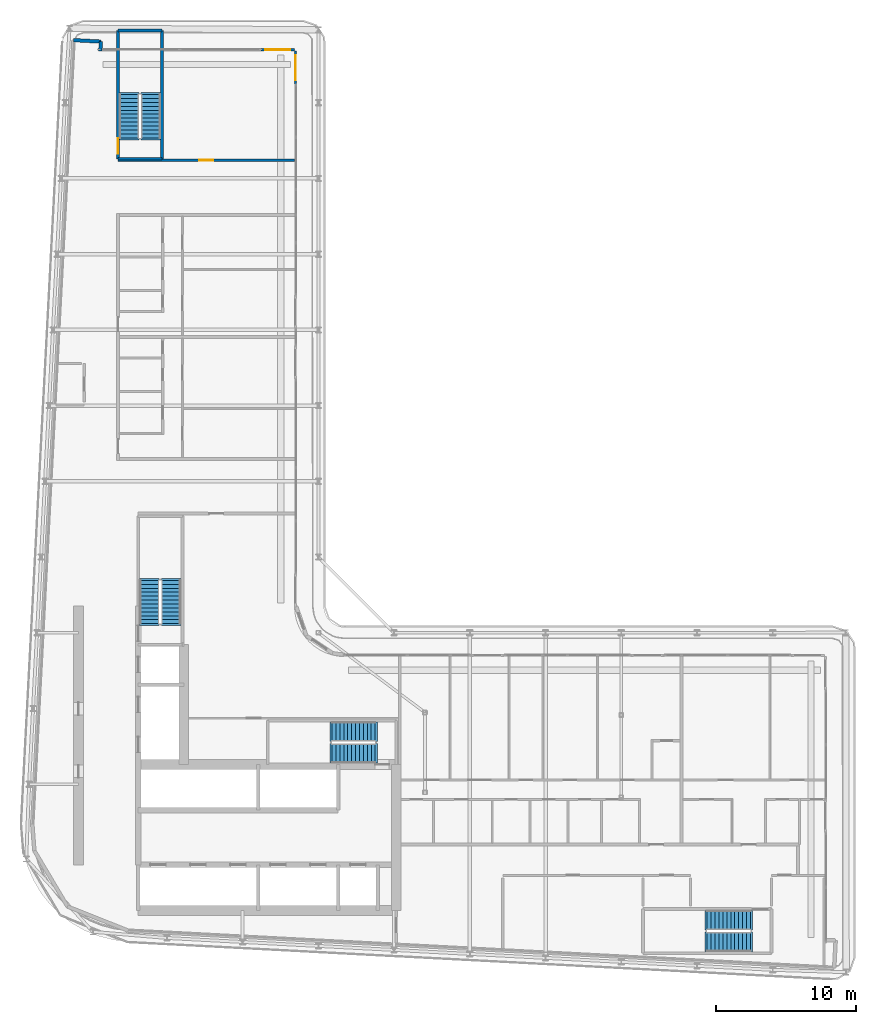
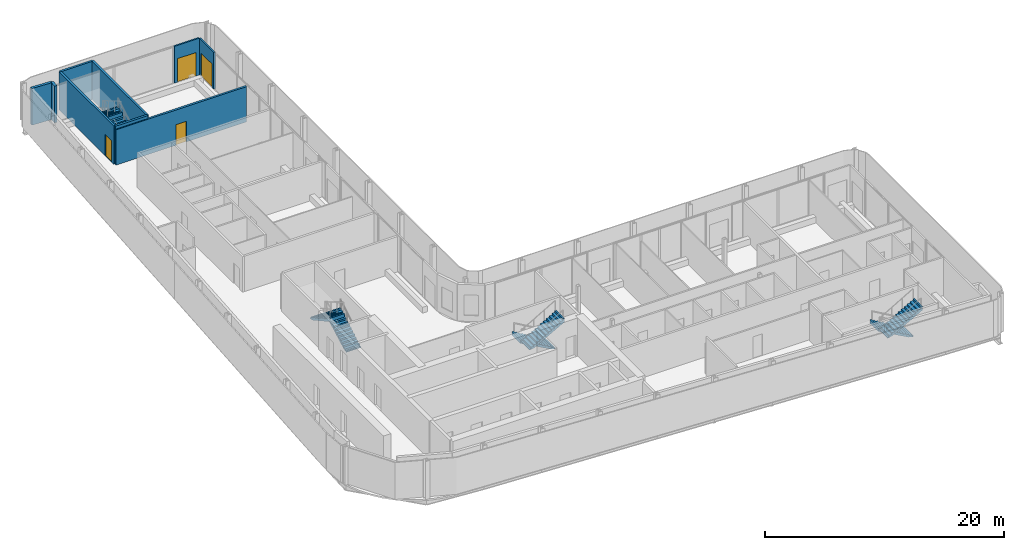
# One storey, part 14 of 21: 9 walls, 8 stair flights, 4 doors, 4 openings, 4 elements without a shape of their own.
"""IFC4 building model written with IfcOpenShell, lengths in metres."""

from ifc_helpers import new_model, si_unit, direction, frame, frame_2d, origin, place, context, subcontext, project, spatial, polyline, rectangle, outline, extrude, source, transform, mapped, material, layer, layer_set, type_object, element, fill, aggregate, save


model = new_model("IFC4")

# Units and contexts
model_context = context("Model", 3, precision=1e-05, world=origin(), true_north=direction((0.0, 1.0)))
body_context = subcontext(model_context, "Body", "Model", "MODEL_VIEW")
ifc_project = project(units=[si_unit("LENGTHUNIT", "METRE"), si_unit("AREAUNIT", "SQUARE_METRE"), si_unit("VOLUMEUNIT", "CUBIC_METRE"), si_unit("PLANEANGLEUNIT", "RADIAN"), si_unit("MASSUNIT", "GRAM", prefix="KILO")], contexts=[model_context])

# Site, building, storey
site_placement = place(None, origin())
site = spatial("IfcSite", under=ifc_project, at=site_placement, CompositionType="ELEMENT")
building_placement = place(site_placement, origin())
building = spatial("IfcBuilding", under=site, at=building_placement, Name="Kheshtan School and Residences Tower", CompositionType="ELEMENT")
storey_placement = place(building_placement, frame((0.0, 0.0, 224.0)))
storey = spatial("IfcBuildingStorey", under=building, at=storey_placement, Name="L52", CompositionType="ELEMENT", Elevation=224.0)

# Wall, opening, door
ifc_material_1 = material(Name="Gypsum board on steel studs with fire boards", Category="steel")
ifc_layer_1 = layer(ifc_material_1, 0.199951171875)
ifc_layer_set_1 = layer_set([ifc_layer_1], Name="Corridor wall 200")
wall_type_1 = type_object("IfcWallType", Name="Corridor wall 200", PredefinedType="PARTITIONING", material=ifc_layer_set_1)
wall_1_placement = place(storey_placement, frame((33.300048828125, 79.300048828125, 0.0), z_axis=(0.0, 0.0, 1.0), x_axis=(1.0, 0.0, 0.0)))
wall_1 = element("IfcWall", 1, at=wall_1_placement, inside=storey, type_object=wall_type_1, Name="Partition L52-002", PredefinedType="PARTITIONING", context=body_context, shape_type="SweptSolid", body=[
    extrude(rectangle(XDim=12.599853515625, YDim=0.199951171875, at=frame_2d((6.2998046875, 0.0))), origin(), (0.0, 0.0, 1.0), 3.60009765625),
])
opening_1_placement = place(wall_1_placement, frame((5.794921875, 0.0, 0.0)))
opening_1 = element("IfcOpeningElement", 2, at=opening_1_placement, cuts=wall_1, Name="Opening D52-035", PredefinedType="OPENING", context=body_context, shape_type="SweptSolid", body=[
    extrude(rectangle(XDim=1.0, YDim=2.10009765625, at=frame_2d((0.5, 1.050048828125))), frame((0.0, 0.10986328125, 0.0), z_axis=(0.0, -1.0, 0.0), x_axis=(1.0, 0.0, 0.0)), (0.0, 0.0, 1.0), 0.219970703125),
])
ifc_material_2 = material(Name="Steel-framed fire-resisting door leaf", Category="steel")
door_type_1 = type_object("IfcDoorType", Name="Fire door FD60 1000 x 2100", OperationType="SINGLE_SWING_LEFT", PredefinedType="DOOR", material=ifc_material_2)
shared_shape_1 = source(origin(), body_context, "Body", "SweptSolid", [
    extrude(rectangle(XDim=1.0, YDim=2.10009765625, at=frame_2d((0.5, 1.050048828125))), frame((0.0, 0.02490234375, 0.0), z_axis=(0.0, -1.0, 0.0), x_axis=(1.0, 0.0, 0.0)), (0.0, 0.0, 1.0), 0.050048828125),
])
door_1_placement = place(opening_1_placement, origin())
door_1 = element("IfcDoor", 3, at=door_1_placement, inside=storey, type_object=door_type_1, Name="Door D52-035", OperationType="SINGLE_SWING_LEFT", OverallHeight=2.10009765625, OverallWidth=1.0, PredefinedType="DOOR", context=body_context, shape_type="MappedRepresentation", body=[
    mapped(shared_shape_1, transform((0.0, 0.0, 0.0), x_axis=(1.0, 0.0, 0.0), y_axis=(0.0, 1.0, 0.0), z_axis=(0.0, 0.0, 1.0), scale=1.0)),
])
fill(opening_1, door_1)

# Walls
ifc_material_3 = material(Name="Concrete C40/50 with ceramic cladding and mineral wool insulation", Category="concrete")
ifc_layer_2 = layer(ifc_material_3, 0.25)
ifc_layer_set_2 = layer_set([ifc_layer_2], Name="External wall 250 ceramic clad")
wall_type_2 = type_object("IfcWallType", Name="External wall 250 ceramic clad", PredefinedType="SOLIDWALL", material=ifc_layer_set_2)
wall_2_placement = place(storey_placement, frame((30.136962890625, 87.864013671875, 0.0), z_axis=(0.0, 0.0, 1.0), x_axis=(0.998577785791, -0.053314216913, 0.0)))
element("IfcWall", 4, at=wall_2_placement, inside=storey, type_object=wall_type_2, Name="External wall L52 1", PredefinedType="SOLIDWALL", context=body_context, shape_type="SweptSolid", body=[
    extrude(rectangle(XDim=1.95068359375, YDim=0.25, at=frame_2d((0.975341796875, 0.0))), origin(), (0.0, 0.0, 1.0), 3.75),
])
wall_3_placement = place(storey_placement, frame((32.0849609375, 87.760009765625, 0.0), z_axis=(0.0, 0.0, 1.0), x_axis=(-0.053729014033, -0.998555553312, 0.0)))
element("IfcWall", 5, at=wall_3_placement, inside=storey, type_object=wall_type_2, Name="External wall L52 2", PredefinedType="SOLIDWALL", context=body_context, shape_type="SweptSolid", body=[
    extrude(rectangle(XDim=0.66796875, YDim=0.25, at=frame_2d((0.333984375, 0.0))), origin(), (0.0, 0.0, 1.0), 3.75),
])

# Wall, opening, door
ifc_material_4 = material(Name="Aluminium frame wall with insulated infill", Category="aluminium")
ifc_layer_3 = layer(ifc_material_4, 0.14990234375)
ifc_layer_set_3 = layer_set([ifc_layer_3], Name="Glazing frame wall 150")
wall_type_3 = type_object("IfcWallType", Name="Glazing frame wall 150", PredefinedType="SOLIDWALL", material=ifc_layer_set_3)
wall_4_placement = place(storey_placement, frame((43.5, 87.175048828125, 0.0), z_axis=(0.0, 0.0, 1.0), x_axis=(1.0, 0.0, 0.0)))
wall_4 = element("IfcWall", 6, at=wall_4_placement, inside=storey, type_object=wall_type_3, Name="Balcony door wall L52 3.1", PredefinedType="SOLIDWALL", context=body_context, shape_type="SweptSolid", body=[
    extrude(rectangle(XDim=2.39990234375, YDim=0.14990234375, at=frame_2d((1.199951171875, 0.0))), origin(), (0.0, 0.0, 1.0), 3.75),
])
opening_2_placement = place(wall_4_placement, frame((0.300048828125, 0.0, 0.0)))
opening_2 = element("IfcOpeningElement", 7, at=opening_2_placement, cuts=wall_4, Name="Opening BD", PredefinedType="OPENING", context=body_context, shape_type="SweptSolid", body=[
    extrude(rectangle(XDim=1.800048828125, YDim=2.39990234375, at=frame_2d((0.89990234375, 1.199951171875))), frame((0.0, 0.0849609375, 0.0), z_axis=(0.0, -1.0, 0.0), x_axis=(1.0, 0.0, 0.0)), (0.0, 0.0, 1.0), 0.169921875),
])
ifc_material_5 = material(Name="Clear low-e glass in thermally broken aluminium frame", Category="aluminium")
door_type_2 = type_object("IfcDoorType", Name="Balcony sliding door", OperationType="SLIDING_TO_LEFT", PredefinedType="DOOR", material=ifc_material_5)
shared_shape_2 = source(origin(), body_context, "Body", "SweptSolid", [
    extrude(rectangle(XDim=1.800048828125, YDim=2.39990234375, at=frame_2d((0.89990234375, 1.199951171875))), frame((0.0, 0.02490234375, 0.0), z_axis=(0.0, -1.0, 0.0), x_axis=(1.0, 0.0, 0.0)), (0.0, 0.0, 1.0), 0.050048828125),
])
door_2_placement = place(opening_2_placement, origin())
door_2 = element("IfcDoor", 8, at=door_2_placement, inside=storey, type_object=door_type_2, Name="Balcony door L52 3.1", OperationType="SLIDING_TO_LEFT", OverallHeight=2.39990234375, OverallWidth=1.800048828125, PredefinedType="DOOR", context=body_context, shape_type="MappedRepresentation", body=[
    mapped(shared_shape_2, transform((0.0, 0.0, 0.0), x_axis=(1.0, 0.0, 0.0), y_axis=(0.0, 1.0, 0.0), z_axis=(0.0, 0.0, 1.0), scale=1.0)),
])
fill(opening_2, door_2)

wall_5_placement = place(storey_placement, frame((45.97509765625, 87.10009765625, 0.0), z_axis=(0.0, 0.0, 1.0), x_axis=(0.0, -1.0, 0.0)))
wall_5 = element("IfcWall", 9, at=wall_5_placement, inside=storey, type_object=wall_type_3, Name="Balcony door wall L52 4.1", PredefinedType="SOLIDWALL", context=body_context, shape_type="SweptSolid", body=[
    extrude(rectangle(XDim=2.400146484375, YDim=0.14990234375, at=frame_2d((1.2001953125, 0.0))), origin(), (0.0, 0.0, 1.0), 3.75),
])
opening_3_placement = place(wall_5_placement, frame((0.300048828125, 0.0, 0.0)))
opening_3 = element("IfcOpeningElement", 10, at=opening_3_placement, cuts=wall_5, Name="Opening BD", PredefinedType="OPENING", context=body_context, shape_type="SweptSolid", body=[
    extrude(rectangle(XDim=1.800048828125, YDim=2.39990234375, at=frame_2d((0.89990234375, 1.199951171875))), frame((0.0, 0.0849609375, 0.0), z_axis=(0.0, -1.0, 0.0), x_axis=(1.0, 0.0, 0.0)), (0.0, 0.0, 1.0), 0.169921875),
])
door_3_placement = place(opening_3_placement, origin())
door_3 = element("IfcDoor", 11, at=door_3_placement, inside=storey, type_object=door_type_2, Name="Balcony door L52 4.1", OperationType="SLIDING_TO_LEFT", OverallHeight=2.39990234375, OverallWidth=1.800048828125, PredefinedType="DOOR", context=body_context, shape_type="MappedRepresentation", body=[
    mapped(shared_shape_2, transform((0.0, 0.0, 0.0), x_axis=(1.0, 0.0, 0.0), y_axis=(0.0, 1.0, 0.0), z_axis=(0.0, 0.0, 1.0), scale=1.0)),
])
fill(opening_3, door_3)

# Walls
ifc_material_6 = material(Name="Concrete C40/50", Category="concrete")
ifc_layer_4 = layer(ifc_material_6, 0.199951171875)
ifc_layer_set_4 = layer_set([ifc_layer_4], Name="Stair enclosure wall 200 Concrete C40/50")
wall_type_4 = type_object("IfcWallType", Name="Stair enclosure wall 200 Concrete C40/50", PredefinedType="SHEAR", material=ifc_layer_set_4)
for number, where, z_axis, x_axis, name in (
    (12, (33.300048828125, 79.39990234375, 0.0), (0.0, 0.0, 1.0), (1.0, 0.0, 0.0), "Stair enclosure wall ST3"),
    (13, (33.300048828125, 88.56005859375, 0.0), (0.0, 0.0, 1.0), (1.0, 0.0, 0.0), "Stair enclosure wall ST3"),
):
    element("IfcWall", number, at=place(storey_placement, frame(where, z_axis=z_axis, x_axis=x_axis)), inside=storey, type_object=wall_type_4, Name=name, PredefinedType="SHEAR", context=body_context, shape_type="SweptSolid", body=[
        extrude(rectangle(XDim=3.14990234375, YDim=0.199951171875, at=frame_2d((1.574951171875, 0.0))), origin(), (0.0, 0.0, 1.0), 3.89990234375),
    ])

# Wall, opening, door
wall_6_placement = place(storey_placement, frame((33.300048828125, 79.39990234375, 0.0), z_axis=(0.0, 0.0, 1.0), x_axis=(0.0, 1.0, 0.0)))
wall_6 = element("IfcWall", 14, at=wall_6_placement, inside=storey, type_object=wall_type_4, Name="Stair enclosure wall ST3", PredefinedType="SHEAR", context=body_context, shape_type="SweptSolid", body=[
    extrude(rectangle(XDim=9.16015625, YDim=0.199951171875, at=frame_2d((4.580078125, 0.0))), origin(), (0.0, 0.0, 1.0), 3.89990234375),
])
opening_4_placement = place(wall_6_placement, frame((0.35009765625, 0.0, 0.0)))
opening_4 = element("IfcOpeningElement", 15, at=opening_4_placement, cuts=wall_6, Name="Opening ST3D", PredefinedType="OPENING", context=body_context, shape_type="SweptSolid", body=[
    extrude(rectangle(XDim=1.10009765625, YDim=2.199951171875, at=frame_2d((0.550048828125, 1.10009765625))), frame((0.0, 0.10986328125, 0.0), z_axis=(0.0, -1.0, 0.0), x_axis=(1.0, 0.0, 0.0)), (0.0, 0.0, 1.0), 0.219970703125),
])
ifc_material_7 = material(Name="Steel door leaf, galvanised", Category="steel")
door_type_3 = type_object("IfcDoorType", Name="Stair door 1100 steel 90 min", OperationType="SINGLE_SWING_LEFT", PredefinedType="DOOR", material=ifc_material_7)
shared_shape_3 = source(origin(), body_context, "Body", "SweptSolid", [
    extrude(rectangle(XDim=1.10009765625, YDim=2.199951171875, at=frame_2d((0.550048828125, 1.10009765625))), frame((0.0, 0.02490234375, 0.0), z_axis=(0.0, -1.0, 0.0), x_axis=(1.0, 0.0, 0.0)), (0.0, 0.0, 1.0), 0.050048828125),
])
door_4_placement = place(opening_4_placement, origin())
door_4 = element("IfcDoor", 16, at=door_4_placement, inside=storey, type_object=door_type_3, Name="Stair ST3 door", OperationType="SINGLE_SWING_RIGHT", OverallHeight=2.199951171875, OverallWidth=1.10009765625, PredefinedType="DOOR", context=body_context, shape_type="MappedRepresentation", body=[
    mapped(shared_shape_3, transform((0.0, 0.0, 0.0), x_axis=(1.0, 0.0, 0.0), y_axis=(0.0, 1.0, 0.0), z_axis=(0.0, 0.0, 1.0), scale=1.0)),
])
fill(opening_4, door_4)

# Wall
wall_7_placement = place(storey_placement, frame((36.449951171875, 79.39990234375, 0.0), z_axis=(0.0, 0.0, 1.0), x_axis=(0.0, 1.0, 0.0)))
element("IfcWall", 17, at=wall_7_placement, inside=storey, type_object=wall_type_4, Name="Stair enclosure wall ST3", PredefinedType="SHEAR", context=body_context, shape_type="SweptSolid", body=[
    extrude(rectangle(XDim=9.16015625, YDim=0.199951171875, at=frame_2d((4.580078125, 0.0))), origin(), (0.0, 0.0, 1.0), 3.89990234375),
])

# Stair, stair flights
stair_type = type_object("IfcStairType", Name="Exit stair, half-turn", PredefinedType="HALF_TURN_STAIR", material=ifc_material_6)
stair_1_placement = place(storey_placement, origin())
stair_1 = element("IfcStair", 18, at=stair_1_placement, inside=storey, type_object=stair_type, Name="L52 Protected Exit Stair ST1", PredefinedType="HALF_TURN_STAIR")
ifc_layer_5 = layer(ifc_material_6, 0.14990234375)
ifc_layer_set_5 = layer_set([ifc_layer_5], Name="Stair flight 1400 Concrete C40/50")
stair_flight_type = type_object("IfcStairFlightType", Name="Stair flight 1400 Concrete C40/50", PredefinedType="STRAIGHT", material=ifc_layer_set_5)
stair_flight_1_placement = place(storey_placement, frame((51.64990234375, 38.550048828125, 0.0), z_axis=(0.0, 0.0, 1.0), x_axis=(-1.0, 0.0, 0.0)))
stair_flight_1 = element("IfcStairFlight", 19, at=stair_flight_1_placement, type_object=stair_flight_type, Name="ST1 flight 1", NumberOfRisers=12, NumberOfTreads=11, PredefinedType="STRAIGHT", RiserHeight=0.1625, TreadLength=0.28, context=body_context, shape_type="SweptSolid", body=[
    extrude(outline(polyline([(-0.14990234375, -0.10009765625), (-0.14990234375, 0.0), (0.0, 0.0), (0.0, 0.16259765625), (0.280029296875, 0.16259765625), (0.280029296875, 0.324951171875), (0.56005859375, 0.324951171875), (0.56005859375, 0.487548828125), (0.840087890625, 0.487548828125), (0.840087890625, 0.64990234375), (1.1201171875, 0.64990234375), (1.1201171875, 0.8125), (1.39990234375, 0.8125), (1.39990234375, 0.97509765625), (1.679931640625, 0.97509765625), (1.679931640625, 1.137451171875), (1.9599609375, 1.137451171875), (1.9599609375, 1.300048828125), (2.239990234375, 1.300048828125), (2.239990234375, 1.46240234375), (2.52001953125, 1.46240234375), (2.52001953125, 1.625), (2.800048828125, 1.625), (2.800048828125, 1.78759765625), (3.080078125, 1.78759765625), (3.080078125, 1.949951171875), (3.080078125, 1.969970703125), (3.22998046875, 1.969970703125), (3.22998046875, 1.6142578125), (0.298583984375, 0.0), (-0.14990234375, -0.10009765625)])), frame((0.0, 0.699951171875, 0.0), z_axis=(0.0, -1.0, 0.0), x_axis=(1.0, 0.0, 0.0)), (0.0, 0.0, 1.0), 1.39990234375),
])
stair_flight_2_placement = place(storey_placement, frame((48.570068359375, 37.0, 1.949951171875), z_axis=(0.0, 0.0, 1.0), x_axis=(1.0, 0.0, 0.0)))
stair_flight_2 = element("IfcStairFlight", 20, at=stair_flight_2_placement, type_object=stair_flight_type, Name="ST1 flight 2", NumberOfRisers=12, NumberOfTreads=11, PredefinedType="STRAIGHT", RiserHeight=0.1625, TreadLength=0.28, context=body_context, shape_type="SweptSolid", body=[
    extrude(outline(polyline([(-0.14990234375, -0.10009765625), (-0.14990234375, 0.0), (0.0, 0.0), (0.0, 0.16259765625), (0.280029296875, 0.16259765625), (0.280029296875, 0.324951171875), (0.56005859375, 0.324951171875), (0.56005859375, 0.487548828125), (0.840087890625, 0.487548828125), (0.840087890625, 0.64990234375), (1.1201171875, 0.64990234375), (1.1201171875, 0.8125), (1.39990234375, 0.8125), (1.39990234375, 0.97509765625), (1.679931640625, 0.97509765625), (1.679931640625, 1.137451171875), (1.9599609375, 1.137451171875), (1.9599609375, 1.300048828125), (2.239990234375, 1.300048828125), (2.239990234375, 1.46240234375), (2.52001953125, 1.46240234375), (2.52001953125, 1.625), (2.800048828125, 1.625), (2.800048828125, 1.78759765625), (3.080078125, 1.78759765625), (3.080078125, 1.949951171875), (3.080078125, 1.969970703125), (3.22998046875, 1.969970703125), (3.22998046875, 1.6142578125), (0.298583984375, 0.0), (-0.14990234375, -0.10009765625)])), frame((0.0, 0.699951171875, 0.0), z_axis=(0.0, -1.0, 0.0), x_axis=(1.0, 0.0, 0.0)), (0.0, 0.0, 1.0), 1.39990234375),
])
aggregate(stair_1, [stair_flight_1, stair_flight_2])

stair_2_placement = place(storey_placement, origin())
stair_2 = element("IfcStair", 21, at=stair_2_placement, inside=storey, type_object=stair_type, Name="L52 Protected Exit Stair ST2", PredefinedType="HALF_TURN_STAIR")
stair_flight_3_placement = place(storey_placement, frame((37.10009765625, 46.25, 0.0), z_axis=(0.0, 0.0, 1.0), x_axis=(0.0, 1.0, 0.0)))
stair_flight_3 = element("IfcStairFlight", 22, at=stair_flight_3_placement, type_object=stair_flight_type, Name="ST2 flight 1", NumberOfRisers=12, NumberOfTreads=11, PredefinedType="STRAIGHT", RiserHeight=0.1625, TreadLength=0.28, context=body_context, shape_type="SweptSolid", body=[
    extrude(outline(polyline([(-0.14990234375, -0.10009765625), (-0.14990234375, 0.0), (0.0, 0.0), (0.0, 0.16259765625), (0.280029296875, 0.16259765625), (0.280029296875, 0.324951171875), (0.56005859375, 0.324951171875), (0.56005859375, 0.487548828125), (0.840087890625, 0.487548828125), (0.840087890625, 0.64990234375), (1.1201171875, 0.64990234375), (1.1201171875, 0.8125), (1.39990234375, 0.8125), (1.39990234375, 0.97509765625), (1.679931640625, 0.97509765625), (1.679931640625, 1.137451171875), (1.9599609375, 1.137451171875), (1.9599609375, 1.300048828125), (2.239990234375, 1.300048828125), (2.239990234375, 1.46240234375), (2.52001953125, 1.46240234375), (2.52001953125, 1.625), (2.800048828125, 1.625), (2.800048828125, 1.78759765625), (3.080078125, 1.78759765625), (3.080078125, 1.949951171875), (3.080078125, 1.969970703125), (3.22998046875, 1.969970703125), (3.22998046875, 1.6142578125), (0.298583984375, 0.0), (-0.14990234375, -0.10009765625)])), frame((0.0, 0.699951171875, 0.0), z_axis=(0.0, -1.0, 0.0), x_axis=(1.0, 0.0, 0.0)), (0.0, 0.0, 1.0), 1.39990234375),
])
stair_flight_4_placement = place(storey_placement, frame((35.550048828125, 49.330078125, 1.949951171875), z_axis=(0.0, 0.0, 1.0), x_axis=(0.0, -1.0, 0.0)))
stair_flight_4 = element("IfcStairFlight", 23, at=stair_flight_4_placement, type_object=stair_flight_type, Name="ST2 flight 2", NumberOfRisers=12, NumberOfTreads=11, PredefinedType="STRAIGHT", RiserHeight=0.1625, TreadLength=0.28, context=body_context, shape_type="SweptSolid", body=[
    extrude(outline(polyline([(-0.14990234375, -0.10009765625), (-0.14990234375, 0.0), (0.0, 0.0), (0.0, 0.16259765625), (0.280029296875, 0.16259765625), (0.280029296875, 0.324951171875), (0.56005859375, 0.324951171875), (0.56005859375, 0.487548828125), (0.840087890625, 0.487548828125), (0.840087890625, 0.64990234375), (1.1201171875, 0.64990234375), (1.1201171875, 0.8125), (1.39990234375, 0.8125), (1.39990234375, 0.97509765625), (1.679931640625, 0.97509765625), (1.679931640625, 1.137451171875), (1.9599609375, 1.137451171875), (1.9599609375, 1.300048828125), (2.239990234375, 1.300048828125), (2.239990234375, 1.46240234375), (2.52001953125, 1.46240234375), (2.52001953125, 1.625), (2.800048828125, 1.625), (2.800048828125, 1.78759765625), (3.080078125, 1.78759765625), (3.080078125, 1.949951171875), (3.080078125, 1.969970703125), (3.22998046875, 1.969970703125), (3.22998046875, 1.6142578125), (0.298583984375, 0.0), (-0.14990234375, -0.10009765625)])), frame((0.0, 0.699951171875, 0.0), z_axis=(0.0, -1.0, 0.0), x_axis=(1.0, 0.0, 0.0)), (0.0, 0.0, 1.0), 1.39990234375),
])
aggregate(stair_2, [stair_flight_3, stair_flight_4])

stair_3_placement = place(storey_placement, origin())
stair_3 = element("IfcStair", 24, at=stair_3_placement, inside=storey, type_object=stair_type, Name="L52 Protected Exit Stair ST3", PredefinedType="HALF_TURN_STAIR")
stair_flight_5_placement = place(storey_placement, frame((35.64990234375, 80.89990234375, 0.0), z_axis=(0.0, 0.0, 1.0), x_axis=(0.0, 1.0, 0.0)))
stair_flight_5 = element("IfcStairFlight", 25, at=stair_flight_5_placement, type_object=stair_flight_type, Name="ST3 flight 1", NumberOfRisers=12, NumberOfTreads=11, PredefinedType="STRAIGHT", RiserHeight=0.1625, TreadLength=0.28, context=body_context, shape_type="SweptSolid", body=[
    extrude(outline(polyline([(-0.14990234375, -0.10009765625), (-0.14990234375, 0.0), (0.0, 0.0), (0.0, 0.16259765625), (0.280029296875, 0.16259765625), (0.280029296875, 0.324951171875), (0.56005859375, 0.324951171875), (0.56005859375, 0.487548828125), (0.840087890625, 0.487548828125), (0.840087890625, 0.64990234375), (1.1201171875, 0.64990234375), (1.1201171875, 0.8125), (1.39990234375, 0.8125), (1.39990234375, 0.97509765625), (1.679931640625, 0.97509765625), (1.679931640625, 1.137451171875), (1.9599609375, 1.137451171875), (1.9599609375, 1.300048828125), (2.239990234375, 1.300048828125), (2.239990234375, 1.46240234375), (2.52001953125, 1.46240234375), (2.52001953125, 1.625), (2.800048828125, 1.625), (2.800048828125, 1.78759765625), (3.080078125, 1.78759765625), (3.080078125, 1.949951171875), (3.080078125, 1.969970703125), (3.22998046875, 1.969970703125), (3.22998046875, 1.6142578125), (0.298583984375, 0.0), (-0.14990234375, -0.10009765625)])), frame((0.0, 0.699951171875, 0.0), z_axis=(0.0, -1.0, 0.0), x_axis=(1.0, 0.0, 0.0)), (0.0, 0.0, 1.0), 1.39990234375),
])
stair_flight_6_placement = place(storey_placement, frame((34.10009765625, 83.97998046875, 1.949951171875), z_axis=(0.0, 0.0, 1.0), x_axis=(0.0, -1.0, 0.0)))
stair_flight_6 = element("IfcStairFlight", 26, at=stair_flight_6_placement, type_object=stair_flight_type, Name="ST3 flight 2", NumberOfRisers=12, NumberOfTreads=11, PredefinedType="STRAIGHT", RiserHeight=0.1625, TreadLength=0.28, context=body_context, shape_type="SweptSolid", body=[
    extrude(outline(polyline([(-0.14990234375, -0.10009765625), (-0.14990234375, 0.0), (0.0, 0.0), (0.0, 0.16259765625), (0.280029296875, 0.16259765625), (0.280029296875, 0.324951171875), (0.56005859375, 0.324951171875), (0.56005859375, 0.487548828125), (0.840087890625, 0.487548828125), (0.840087890625, 0.64990234375), (1.1201171875, 0.64990234375), (1.1201171875, 0.8125), (1.39990234375, 0.8125), (1.39990234375, 0.97509765625), (1.679931640625, 0.97509765625), (1.679931640625, 1.137451171875), (1.9599609375, 1.137451171875), (1.9599609375, 1.300048828125), (2.239990234375, 1.300048828125), (2.239990234375, 1.46240234375), (2.52001953125, 1.46240234375), (2.52001953125, 1.625), (2.800048828125, 1.625), (2.800048828125, 1.78759765625), (3.080078125, 1.78759765625), (3.080078125, 1.949951171875), (3.080078125, 1.969970703125), (3.22998046875, 1.969970703125), (3.22998046875, 1.6142578125), (0.298583984375, 0.0), (-0.14990234375, -0.10009765625)])), frame((0.0, 0.699951171875, 0.0), z_axis=(0.0, -1.0, 0.0), x_axis=(1.0, 0.0, 0.0)), (0.0, 0.0, 1.0), 1.39990234375),
])
aggregate(stair_3, [stair_flight_5, stair_flight_6])

stair_4_placement = place(storey_placement, origin())
stair_4 = element("IfcStair", 27, at=stair_4_placement, inside=storey, type_object=stair_type, Name="L52 Protected Exit Stair ST5", PredefinedType="HALF_TURN_STAIR")
stair_flight_7_placement = place(storey_placement, frame((78.409912109375, 25.10009765625, 0.0), z_axis=(0.0, 0.0, 1.0), x_axis=(-1.0, 0.0, 0.0)))
stair_flight_7 = element("IfcStairFlight", 28, at=stair_flight_7_placement, type_object=stair_flight_type, Name="ST5 flight 1", NumberOfRisers=12, NumberOfTreads=11, PredefinedType="STRAIGHT", RiserHeight=0.1625, TreadLength=0.28, context=body_context, shape_type="SweptSolid", body=[
    extrude(outline(polyline([(-0.14990234375, -0.10009765625), (-0.14990234375, 0.0), (0.0, 0.0), (0.0, 0.16259765625), (0.280029296875, 0.16259765625), (0.280029296875, 0.324951171875), (0.56005859375, 0.324951171875), (0.56005859375, 0.487548828125), (0.840087890625, 0.487548828125), (0.840087890625, 0.64990234375), (1.1201171875, 0.64990234375), (1.1201171875, 0.8125), (1.39990234375, 0.8125), (1.39990234375, 0.97509765625), (1.679931640625, 0.97509765625), (1.679931640625, 1.137451171875), (1.9599609375, 1.137451171875), (1.9599609375, 1.300048828125), (2.239990234375, 1.300048828125), (2.239990234375, 1.46240234375), (2.52001953125, 1.46240234375), (2.52001953125, 1.625), (2.800048828125, 1.625), (2.800048828125, 1.78759765625), (3.080078125, 1.78759765625), (3.080078125, 1.949951171875), (3.080078125, 1.969970703125), (3.22998046875, 1.969970703125), (3.22998046875, 1.6142578125), (0.298583984375, 0.0), (-0.14990234375, -0.10009765625)])), frame((0.0, 0.699951171875, 0.0), z_axis=(0.0, -1.0, 0.0), x_axis=(1.0, 0.0, 0.0)), (0.0, 0.0, 1.0), 1.39990234375),
])
stair_flight_8_placement = place(storey_placement, frame((75.330078125, 23.550048828125, 1.949951171875), z_axis=(0.0, 0.0, 1.0), x_axis=(1.0, 0.0, 0.0)))
stair_flight_8 = element("IfcStairFlight", 29, at=stair_flight_8_placement, type_object=stair_flight_type, Name="ST5 flight 2", NumberOfRisers=12, NumberOfTreads=11, PredefinedType="STRAIGHT", RiserHeight=0.1625, TreadLength=0.28, context=body_context, shape_type="SweptSolid", body=[
    extrude(outline(polyline([(-0.14990234375, -0.10009765625), (-0.14990234375, 0.0), (0.0, 0.0), (0.0, 0.16259765625), (0.280029296875, 0.16259765625), (0.280029296875, 0.324951171875), (0.56005859375, 0.324951171875), (0.56005859375, 0.487548828125), (0.840087890625, 0.487548828125), (0.840087890625, 0.64990234375), (1.1201171875, 0.64990234375), (1.1201171875, 0.8125), (1.39990234375, 0.8125), (1.39990234375, 0.97509765625), (1.679931640625, 0.97509765625), (1.679931640625, 1.137451171875), (1.9599609375, 1.137451171875), (1.9599609375, 1.300048828125), (2.239990234375, 1.300048828125), (2.239990234375, 1.46240234375), (2.52001953125, 1.46240234375), (2.52001953125, 1.625), (2.800048828125, 1.625), (2.800048828125, 1.78759765625), (3.080078125, 1.78759765625), (3.080078125, 1.949951171875), (3.080078125, 1.969970703125), (3.22998046875, 1.969970703125), (3.22998046875, 1.6142578125), (0.298583984375, 0.0), (-0.14990234375, -0.10009765625)])), frame((0.0, 0.699951171875, 0.0), z_axis=(0.0, -1.0, 0.0), x_axis=(1.0, 0.0, 0.0)), (0.0, 0.0, 1.0), 1.39990234375),
])
aggregate(stair_4, [stair_flight_7, stair_flight_8])

save(model, "model.ifc")
